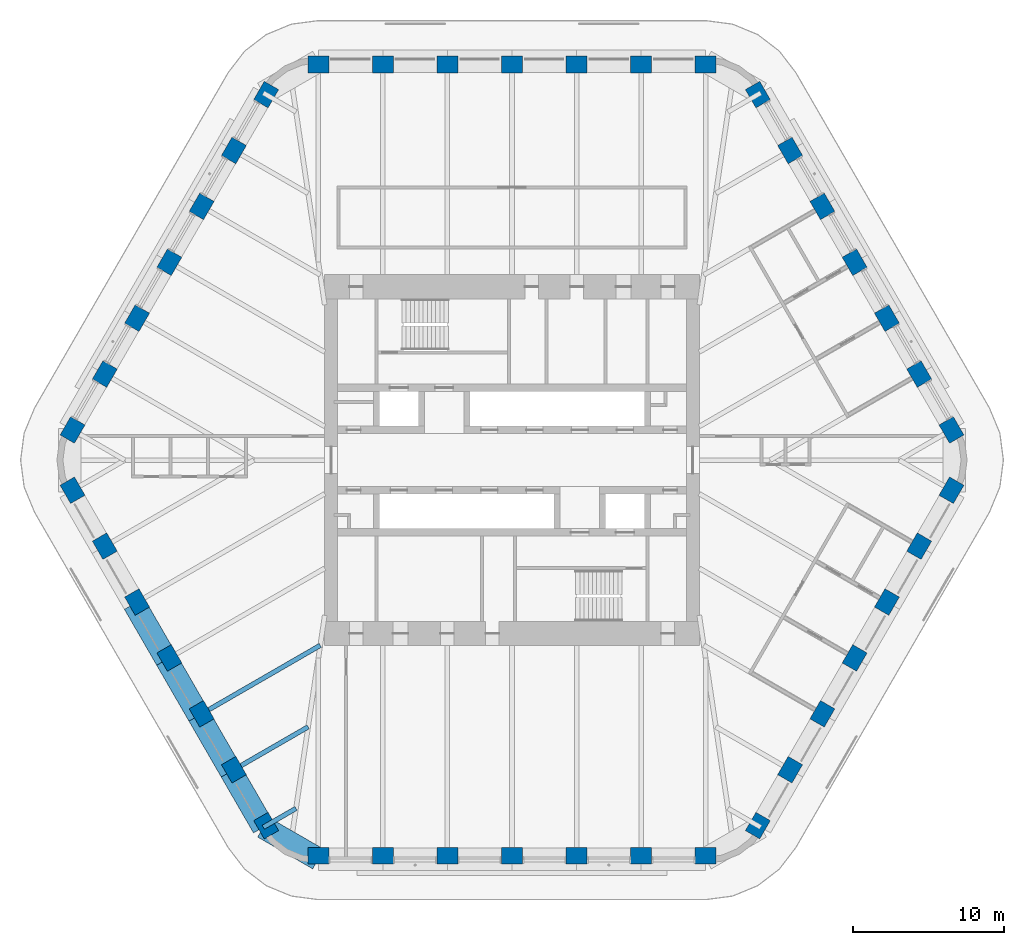
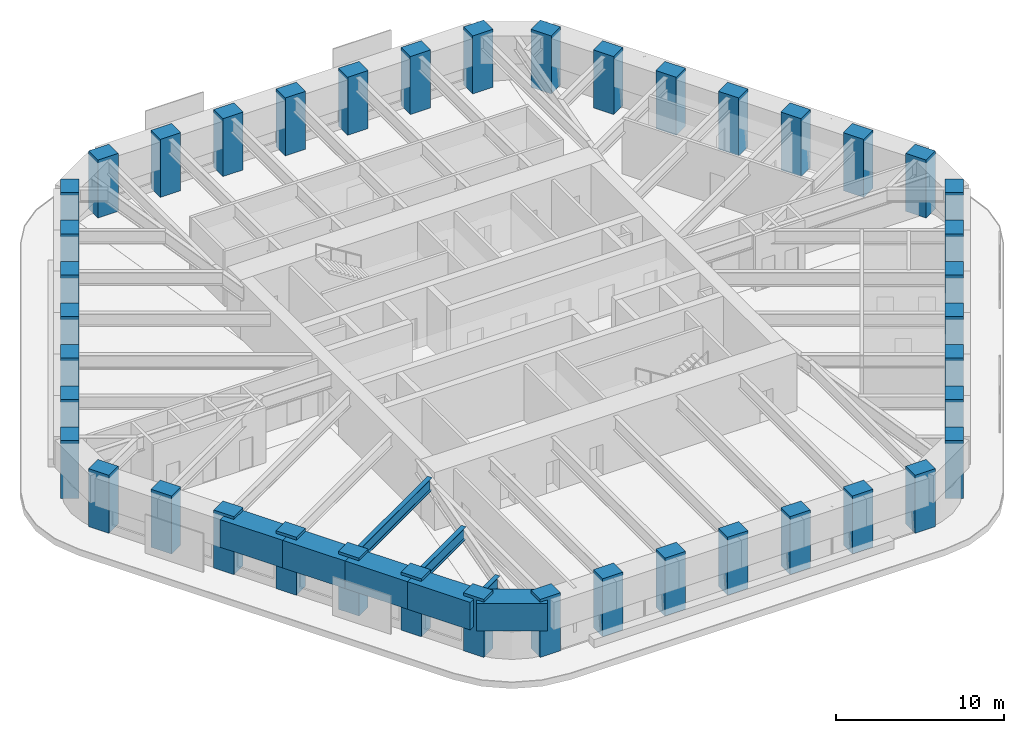
# One storey, part 1 of 18: 42 columns, 8 beams.
"""IFC4 building model written with IfcOpenShell, lengths in metres."""

from ifc_helpers import new_model, si_unit, direction, frame, origin, origin_2d, place, context, subcontext, project, spatial, rectangle, i_section, extrude, material, material_profile, profile_set, type_object, element, save


model = new_model("IFC4")

# Units and contexts
model_context = context("Model", 3, precision=1e-05, world=origin(), true_north=direction((0.0, 1.0)))
body_context = subcontext(model_context, "Body", "Model", "MODEL_VIEW")
ifc_project = project(units=[si_unit("LENGTHUNIT", "METRE"), si_unit("AREAUNIT", "SQUARE_METRE"), si_unit("VOLUMEUNIT", "CUBIC_METRE"), si_unit("PLANEANGLEUNIT", "RADIAN"), si_unit("MASSUNIT", "GRAM", prefix="KILO")], contexts=[model_context])

# Site, building, storey
site_placement = place(None, origin())
site = spatial("IfcSite", under=ifc_project, at=site_placement, CompositionType="ELEMENT")
building_placement = place(site_placement, origin())
building = spatial("IfcBuilding", under=site, at=building_placement, Name="Tarfa Lantern Tower", CompositionType="ELEMENT")
storey_placement = place(building_placement, frame((0.0, 0.0, 324.10009765625)))
storey = spatial("IfcBuildingStorey", under=building, at=storey_placement, Name="L73", CompositionType="ELEMENT", Elevation=324.10009765625)

# Columns
ifc_material_1 = material(Name="Concrete C80/95", Category="concrete")
ifc_material_profile_1 = material_profile(ifc_material_1, rectangle(XDim=1.39990234375, YDim=1.10009765625, at=origin_2d()), Name="RC 1400x1100")
ifc_profile_set_1 = profile_set([ifc_material_profile_1], Name="Concrete C80/95")
column_type = type_object("IfcColumnType", Name="TC13 RC 1400x1100", PredefinedType="COLUMN", material=ifc_profile_set_1)
for number, where, z_axis, x_axis, name in (
    (1, (29.15625, 2.0, 0.0), (0.0, 0.0, 1.0), (-0.5, 0.866025403784, 0.0), "Tube column NE0"),
    (2, (27.01513671875, 5.708251953125, 0.0), (0.0, 0.0, 1.0), (-0.5, 0.866025403784, 0.0), "Tube column NE1"),
    (3, (24.874267578125, 9.416748046875, 0.0), (0.0, 0.0, 1.0), (-0.5, 0.866025403784, 0.0), "Tube column NE2"),
    (4, (22.733154296875, 13.125, 0.0), (0.0, 0.0, 1.0), (-0.5, 0.866025403784, 0.0), "Tube column NE3"),
    (5, (20.592041015625, 16.833251953125, 0.0), (0.0, 0.0, 1.0), (-0.5, 0.866025403784, 0.0), "Tube column NE4"),
    (6, (18.451171875, 20.541748046875, 0.0), (0.0, 0.0, 1.0), (-0.5, 0.866025403784, 0.0), "Tube column NE5"),
    (7, (16.31005859375, 24.25, 0.0), (0.0, 0.0, 1.0), (-0.5, 0.866025403784, 0.0), "Tube column NE6"),
    (8, (12.845947265625, 26.25, 0.0), (0.0, 0.0, 1.0), (-1.0, 0.0, 0.0), "Tube column N0"),
    (9, (8.56396484375, 26.25, 0.0), (0.0, 0.0, 1.0), (-1.0, 0.0, 0.0), "Tube column N1"),
    (10, (4.281982421875, 26.25, 0.0), (0.0, 0.0, 1.0), (-1.0, 0.0, 0.0), "Tube column N2"),
    (11, (0.0, 26.25, 0.0), (0.0, 0.0, 1.0), (-1.0, 0.0, 0.0), "Tube column N3"),
    (12, (-4.281982421875, 26.25, 0.0), (0.0, 0.0, 1.0), (-1.0, 0.0, 0.0), "Tube column N4"),
    (13, (-8.56396484375, 26.25, 0.0), (0.0, 0.0, 1.0), (-1.0, 0.0, 0.0), "Tube column N5"),
    (14, (-12.845947265625, 26.25, 0.0), (0.0, 0.0, 1.0), (-1.0, 0.0, 0.0), "Tube column N6"),
    (15, (-16.31005859375, 24.25, 0.0), (0.0, 0.0, 1.0), (-0.5, -0.866025403784, 0.0), "Tube column NW0"),
    (16, (-18.451171875, 20.541748046875, 0.0), (0.0, 0.0, 1.0), (-0.5, -0.866025403784, 0.0), "Tube column NW1"),
    (17, (-20.592041015625, 16.833251953125, 0.0), (0.0, 0.0, 1.0), (-0.5, -0.866025403784, 0.0), "Tube column NW2"),
    (18, (-22.733154296875, 13.125, 0.0), (0.0, 0.0, 1.0), (-0.5, -0.866025403784, 0.0), "Tube column NW3"),
    (19, (-24.874267578125, 9.416748046875, 0.0), (0.0, 0.0, 1.0), (-0.5, -0.866025403784, 0.0), "Tube column NW4"),
    (20, (-27.01513671875, 5.708251953125, 0.0), (0.0, 0.0, 1.0), (-0.5, -0.866025403784, 0.0), "Tube column NW5"),
    (21, (-29.15625, 2.0, 0.0), (0.0, 0.0, 1.0), (-0.5, -0.866025403784, 0.0), "Tube column NW6"),
    (22, (-29.15625, -2.0, 0.0), (0.0, 0.0, 1.0), (0.5, -0.866025403784, 0.0), "Tube column SW0"),
    (23, (-27.01513671875, -5.708251953125, 0.0), (0.0, 0.0, 1.0), (0.5, -0.866025403784, 0.0), "Tube column SW1"),
    (24, (-24.874267578125, -9.416748046875, 0.0), (0.0, 0.0, 1.0), (0.5, -0.866025403784, 0.0), "Tube column SW2"),
    (25, (-22.733154296875, -13.125, 0.0), (0.0, 0.0, 1.0), (0.5, -0.866025403784, 0.0), "Tube column SW3"),
    (26, (-20.592041015625, -16.833251953125, 0.0), (0.0, 0.0, 1.0), (0.5, -0.866025403784, 0.0), "Tube column SW4"),
    (27, (-18.451171875, -20.541748046875, 0.0), (0.0, 0.0, 1.0), (0.5, -0.866025403784, 0.0), "Tube column SW5"),
    (28, (-16.31005859375, -24.25, 0.0), (0.0, 0.0, 1.0), (0.5, -0.866025403784, 0.0), "Tube column SW6"),
    (29, (-12.845947265625, -26.25, 0.0), (0.0, 0.0, 1.0), (1.0, 0.0, 0.0), "Tube column S0"),
    (30, (-8.56396484375, -26.25, 0.0), (0.0, 0.0, 1.0), (1.0, 0.0, 0.0), "Tube column S1"),
    (31, (-4.281982421875, -26.25, 0.0), (0.0, 0.0, 1.0), (1.0, 0.0, 0.0), "Tube column S2"),
    (32, (0.0, -26.25, 0.0), (0.0, 0.0, 1.0), (1.0, 0.0, 0.0), "Tube column S3"),
    (33, (4.281982421875, -26.25, 0.0), (0.0, 0.0, 1.0), (1.0, 0.0, 0.0), "Tube column S4"),
    (34, (8.56396484375, -26.25, 0.0), (0.0, 0.0, 1.0), (1.0, 0.0, 0.0), "Tube column S5"),
    (35, (12.845947265625, -26.25, 0.0), (0.0, 0.0, 1.0), (1.0, 0.0, 0.0), "Tube column S6"),
    (36, (16.31005859375, -24.25, 0.0), (0.0, 0.0, 1.0), (0.5, 0.866025403784, 0.0), "Tube column SE0"),
    (37, (18.451171875, -20.541748046875, 0.0), (0.0, 0.0, 1.0), (0.5, 0.866025403784, 0.0), "Tube column SE1"),
    (38, (20.592041015625, -16.833251953125, 0.0), (0.0, 0.0, 1.0), (0.5, 0.866025403784, 0.0), "Tube column SE2"),
    (39, (22.733154296875, -13.125, 0.0), (0.0, 0.0, 1.0), (0.5, 0.866025403784, 0.0), "Tube column SE3"),
    (40, (24.874267578125, -9.416748046875, 0.0), (0.0, 0.0, 1.0), (0.5, 0.866025403784, 0.0), "Tube column SE4"),
    (41, (27.01513671875, -5.708251953125, 0.0), (0.0, 0.0, 1.0), (0.5, 0.866025403784, 0.0), "Tube column SE5"),
    (42, (29.15625, -2.0, 0.0), (0.0, 0.0, 1.0), (0.5, 0.866025403784, 0.0), "Tube column SE6"),
):
    element("IfcColumn", number, at=place(storey_placement, frame(where, z_axis=z_axis, x_axis=x_axis)), inside=storey, type_object=column_type, Name=name, PredefinedType="COLUMN", context=body_context, shape_type="SweptSolid", body=[
        extrude(rectangle(XDim=1.39990234375, YDim=1.10009765625, at=origin_2d()), origin(), (0.0, 0.0, 1.0), 4.199951171875),
    ])

# Beams
ifc_material_profile_2 = material_profile(ifc_material_1, rectangle(XDim=1.5, YDim=2.0, at=origin_2d()), Name="RC 1500x2000")
ifc_profile_set_2 = profile_set([ifc_material_profile_2], Name="Concrete C80/95")
beam_type_1 = type_object("IfcBeamType", Name="RB3 RC 1500x2000", PredefinedType="BEAM", material=ifc_profile_set_2)
beam_1_placement = place(storey_placement, frame((-25.064697265625, -9.526611328125, 3.0), z_axis=(0.500002112793, -0.866024183959, 0.0), x_axis=(0.866024183959, 0.500002112793, 0.0)))
element("IfcBeam", 43, at=beam_1_placement, inside=storey, type_object=beam_type_1, Name="Edge beam SW2", PredefinedType="BEAM", context=body_context, shape_type="SweptSolid", body=[
    extrude(rectangle(XDim=1.5, YDim=2.0, at=origin_2d()), origin(), (0.0, 0.0, 1.0), 4.2822265625),
])
for number, where, z_axis, x_axis, name in (
    (44, (-22.923583984375, -13.235107421875, 3.0), (0.499984039138, -0.866034618596, 0.0), (0.866034618596, 0.499984039138, 0.0), "Edge beam SW3"),
    (45, (-20.78271484375, -16.943359375, 3.0), (0.500026801138, -0.866009929587, 0.0), (0.866009929587, 0.500026801138, 0.0), "Edge beam SW4"),
    (46, (-18.6416015625, -20.651611328125, 3.0), (0.499959351497, -0.866048870937, 0.0), (0.866048870937, 0.499959351497, 0.0), "Edge beam SW5"),
):
    element("IfcBeam", number, at=place(storey_placement, frame(where, z_axis=z_axis, x_axis=x_axis)), inside=storey, type_object=beam_type_1, Name=name, PredefinedType="BEAM", context=body_context, shape_type="SweptSolid", body=[
        extrude(rectangle(XDim=1.5, YDim=2.0, at=origin_2d()), origin(), (0.0, 0.0, 1.0), 4.281982421875),
    ])
beam_2_placement = place(storey_placement, frame((-16.500732421875, -24.360107421875, 3.0), z_axis=(0.866048788483, -0.499959494327, 0.0), x_axis=(0.499959494327, 0.866048788483, 0.0)))
element("IfcBeam", 47, at=beam_2_placement, inside=storey, type_object=beam_type_1, Name="Edge beam SW6", PredefinedType="BEAM", context=body_context, shape_type="SweptSolid", body=[
    extrude(rectangle(XDim=1.5, YDim=2.0, at=origin_2d()), origin(), (0.0, 0.0, 1.0), 4.219970703125),
])
ifc_material_2 = material(Name="Steel S460M", Category="steel")
ifc_material_profile_3 = material_profile(ifc_material_2, i_section(OverallWidth=0.305419921875, OverallDepth=0.91845703125, WebThickness=0.017333984375, FlangeThickness=0.02783203125, FilletRadius=0.01904296875, at=origin_2d()), Name="UB914x305x253")
ifc_profile_set_3 = profile_set([ifc_material_profile_3], Name="Steel S460M")
beam_type_2 = type_object("IfcBeamType", Name="UB914x305x253", PredefinedType="BEAM", material=ifc_profile_set_3)
beam_3_placement = place(storey_placement, frame((-20.78271484375, -16.943359375, 3.540771484375), z_axis=(0.866021806508, 0.500006230613, 0.0), x_axis=(-0.500006230613, 0.866021806508, 0.0)))
element("IfcBeam", 48, at=beam_3_placement, inside=storey, type_object=beam_type_2, Name="Floor beam SW4", PredefinedType="BEAM", context=body_context, shape_type="SweptSolid", body=[
    extrude(i_section(OverallWidth=0.305419921875, OverallDepth=0.91845703125, WebThickness=0.017333984375, FlangeThickness=0.02783203125, FilletRadius=0.01904296875, at=origin_2d()), origin(), (0.0, 0.0, 1.0), 9.30908203125),
])
beam_4_placement = place(storey_placement, frame((-18.6416015625, -20.651611328125, 3.540771484375), z_axis=(0.866024549157, 0.500001480256, 0.0), x_axis=(-0.500001480256, 0.866024549157, 0.0)))
element("IfcBeam", 49, at=beam_4_placement, inside=storey, type_object=beam_type_2, Name="Floor beam SW5", PredefinedType="BEAM", context=body_context, shape_type="SweptSolid", body=[
    extrude(i_section(OverallWidth=0.305419921875, OverallDepth=0.91845703125, WebThickness=0.017333984375, FlangeThickness=0.02783203125, FilletRadius=0.01904296875, at=origin_2d()), origin(), (0.0, 0.0, 1.0), 5.90771484375),
])
beam_5_placement = place(storey_placement, frame((-16.500732421875, -24.360107421875, 3.540771484375), z_axis=(0.865992557167, 0.500056887695, 0.0), x_axis=(-0.500056887695, 0.865992557167, 0.0)))
element("IfcBeam", 50, at=beam_5_placement, inside=storey, type_object=beam_type_2, Name="Floor beam SW6", PredefinedType="BEAM", context=body_context, shape_type="SweptSolid", body=[
    extrude(i_section(OverallWidth=0.305419921875, OverallDepth=0.91845703125, WebThickness=0.017333984375, FlangeThickness=0.02783203125, FilletRadius=0.01904296875, at=origin_2d()), origin(), (0.0, 0.0, 1.0), 2.506591796875),
])

save(model, "model.ifc")
